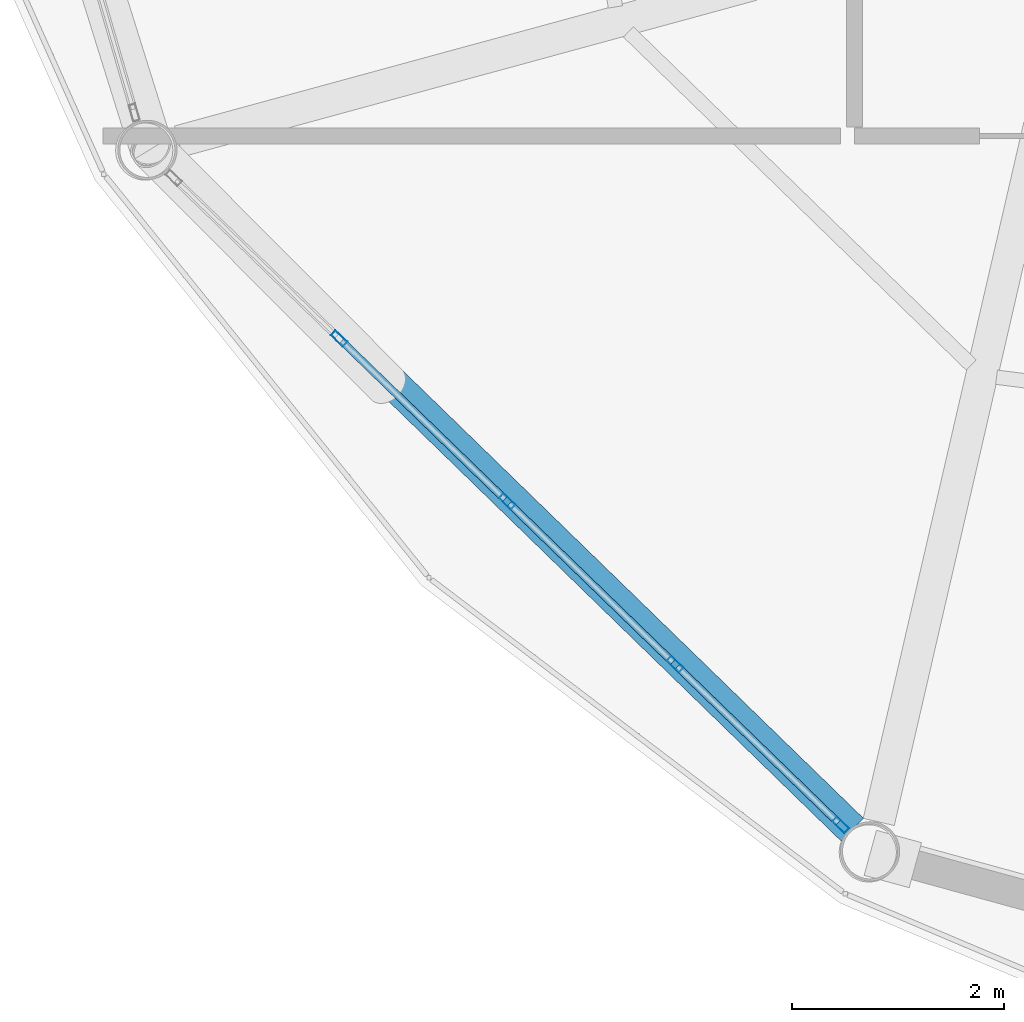
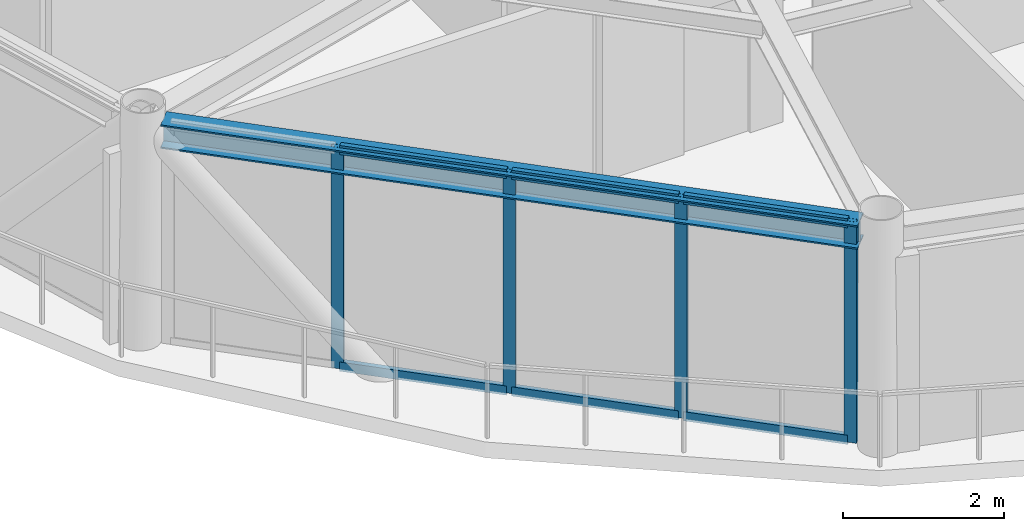
# One storey, part 2 of 27: 10 members, 1 beam, 1 element without a shape of its own.
"""IFC4 building model written with IfcOpenShell, lengths in metres."""

from ifc_helpers import new_model, si_unit, direction, frame, origin, origin_2d, place, context, subcontext, project, spatial, hollow_rectangle, i_section, extrude, material, layer, layer_set, material_profile, profile_set, type_object, element, aggregate, save


model = new_model("IFC4")

# Units and contexts
model_context = context("Model", 3, precision=1e-05, world=origin(), true_north=direction((0.0, 1.0)))
body_context = subcontext(model_context, "Body", "Model", "MODEL_VIEW")
ifc_project = project(units=[si_unit("LENGTHUNIT", "METRE"), si_unit("AREAUNIT", "SQUARE_METRE"), si_unit("VOLUMEUNIT", "CUBIC_METRE"), si_unit("PLANEANGLEUNIT", "RADIAN"), si_unit("MASSUNIT", "GRAM", prefix="KILO")], contexts=[model_context])

# Site, building, storey
site_placement = place(None, origin())
site = spatial("IfcSite", under=ifc_project, at=site_placement, CompositionType="ELEMENT")
building_placement = place(site_placement, origin())
building = spatial("IfcBuilding", under=site, at=building_placement, Name="Varnakorn Sky Granary", CompositionType="ELEMENT")
storey_placement = place(building_placement, frame((0.0, 0.0, 232.800048828125)))
storey = spatial("IfcBuildingStorey", under=building, at=storey_placement, Name="L59", CompositionType="ELEMENT", Elevation=232.800048828125)

# Beam
ifc_material_1 = material(Name="Steel S355JR", Category="steel")
ifc_material_profile_1 = material_profile(ifc_material_1, i_section(OverallWidth=0.300048828125, OverallDepth=0.360107421875, WebThickness=0.012451171875, FlangeThickness=0.0224609375, at=origin_2d()), Name="HE 360 B")
ifc_profile_set_1 = profile_set([ifc_material_profile_1], Name="Steel S355JR")
beam_type = type_object("IfcBeamType", Name="BM-SPD-Z5", PredefinedType="SPANDREL", material=ifc_profile_set_1)
beam_placement = place(storey_placement, frame((-11.036376953125, -9.203857421875, 3.179931640625), z_axis=(0.717159724333, -0.696908838941, 0.0), x_axis=(0.696908838941, 0.717159724333, 0.0)))
element("IfcBeam", 1, at=beam_placement, inside=storey, type_object=beam_type, Name="Perimeter Spandrel Ring Beam RB08 L59", PredefinedType="SPANDREL", context=body_context, shape_type="SweptSolid", body=[
    extrude(i_section(OverallWidth=0.300048828125, OverallDepth=0.360107421875, WebThickness=0.012451171875, FlangeThickness=0.0224609375, at=origin_2d()), origin(), (0.0, 0.0, 1.0), 8.9453125),
])

# Curtain wall, members
ifc_material_2 = material(Name="Anodised Bronze Aluminium Alloy 6063-T6", Category="aluminium")
ifc_layer = layer(ifc_material_2, 0.169921875, Name="Anodised Bronze Aluminium Alloy 6063-T6")
ifc_layer_set = layer_set([ifc_layer], Name="Anodised Bronze Aluminium Alloy 6063-T6")
curtain_wall_type = type_object("IfcCurtainWallType", Name="CW-LAB-1", PredefinedType="USERDEFINED", material=ifc_layer_set)
curtain_wall_placement = place(storey_placement, origin())
curtain_wall = element("IfcCurtainWall", 2, at=curtain_wall_placement, inside=storey, type_object=curtain_wall_type, Name="Unitised Curtain Wall CW5 CW-L59-B08", ObjectType="CURTAIN WALL", PredefinedType="USERDEFINED")
ifc_material_profile_2 = material_profile(ifc_material_2, hollow_rectangle(XDim=0.06494140625, YDim=0.159912109375, WallThickness=0.00341796875, at=origin_2d()), Name="ALU MULL 65x160")
ifc_profile_set_2 = profile_set([ifc_material_profile_2], Name="Anodised Bronze Aluminium Alloy 6063-T6")
member_type_1 = type_object("IfcMemberType", Name="CW-LAB-1-MULL", PredefinedType="MULLION", material=ifc_profile_set_2)
member_1_placement = place(storey_placement, frame((-4.732421875, -15.392578125, 0.0), z_axis=(0.0, 0.0, 1.0), x_axis=(-0.696278954574, -0.717771284893, 0.0)))
member_1 = element("IfcMember", 3, at=member_1_placement, type_object=member_type_1, Name="CW5 mullion 1", PredefinedType="MULLION", context=body_context, shape_type="SweptSolid", body=[
    extrude(hollow_rectangle(XDim=0.06494140625, YDim=0.159912109375, WallThickness=0.00341796875, at=origin_2d()), origin(), (0.0, 0.0, 1.0), 3.35986328125),
])
member_2_placement = place(storey_placement, frame((-6.292236328125, -13.879638671875, 0.0), z_axis=(0.0, 0.0, 1.0), x_axis=(-0.696278954574, -0.717771284893, 0.0)))
member_2 = element("IfcMember", 4, at=member_2_placement, type_object=member_type_1, Name="CW5 mullion 2", PredefinedType="MULLION", context=body_context, shape_type="SweptSolid", body=[
    extrude(hollow_rectangle(XDim=0.06494140625, YDim=0.159912109375, WallThickness=0.00341796875, at=origin_2d()), origin(), (0.0, 0.0, 1.0), 3.35986328125),
])
member_3_placement = place(storey_placement, frame((-7.875244140625, -12.343994140625, 0.0), z_axis=(0.0, 0.0, 1.0), x_axis=(-0.696278954574, -0.717771284893, 0.0)))
member_3 = element("IfcMember", 5, at=member_3_placement, type_object=member_type_1, Name="CW5 mullion 3", PredefinedType="MULLION", context=body_context, shape_type="SweptSolid", body=[
    extrude(hollow_rectangle(XDim=0.06494140625, YDim=0.159912109375, WallThickness=0.00341796875, at=origin_2d()), origin(), (0.0, 0.0, 1.0), 3.35986328125),
])
member_4_placement = place(storey_placement, frame((-9.458251953125, -10.80859375, 0.0), z_axis=(0.0, 0.0, 1.0), x_axis=(-0.696278954574, -0.717771284893, 0.0)))
member_4 = element("IfcMember", 6, at=member_4_placement, type_object=member_type_1, Name="CW5 mullion 4", PredefinedType="MULLION", context=body_context, shape_type="SweptSolid", body=[
    extrude(hollow_rectangle(XDim=0.06494140625, YDim=0.159912109375, WallThickness=0.00341796875, at=origin_2d()), origin(), (0.0, 0.0, 1.0), 3.35986328125),
])
ifc_material_profile_3 = material_profile(ifc_material_2, hollow_rectangle(XDim=0.070068359375, YDim=0.139892578125, WallThickness=0.00341796875, at=origin_2d()), Name="ALU TRAN 70x140")
ifc_profile_set_3 = profile_set([ifc_material_profile_3], Name="Anodised Bronze Aluminium Alloy 6063-T6")
member_type_2 = type_object("IfcMemberType", Name="CW-LAB-1-TRAN", PredefinedType="USERDEFINED", material=ifc_profile_set_3)
member_5_placement = place(storey_placement, frame((-4.755859375, -15.3701171875, 0.034912109375), z_axis=(-0.717739003955, 0.696312230398, 0.0), x_axis=(-0.696312230398, -0.717739003955, 0.0)))
member_5 = element("IfcMember", 7, at=member_5_placement, type_object=member_type_2, Name="CW5 transom 1.1", ObjectType="TRANSOM", PredefinedType="USERDEFINED", context=body_context, shape_type="SweptSolid", body=[
    extrude(hollow_rectangle(XDim=0.070068359375, YDim=0.139892578125, WallThickness=0.00341796875, at=origin_2d()), origin(), (0.0, 0.0, 1.0), 2.10791015625),
])
member_6_placement = place(storey_placement, frame((-4.755859375, -15.3701171875, 3.324951171875), z_axis=(-0.717739003955, 0.696312230398, 0.0), x_axis=(-0.696312230398, -0.717739003955, 0.0)))
member_6 = element("IfcMember", 8, at=member_6_placement, type_object=member_type_2, Name="CW5 transom 1.2", ObjectType="TRANSOM", PredefinedType="USERDEFINED", context=body_context, shape_type="SweptSolid", body=[
    extrude(hollow_rectangle(XDim=0.070068359375, YDim=0.139892578125, WallThickness=0.00341796875, at=origin_2d()), origin(), (0.0, 0.0, 1.0), 2.10791015625),
])
member_7_placement = place(storey_placement, frame((-6.3154296875, -13.857177734375, 0.034912109375), z_axis=(-0.71774664761, 0.696304351447, 0.0), x_axis=(-0.696304351447, -0.71774664761, 0.0)))
member_7 = element("IfcMember", 9, at=member_7_placement, type_object=member_type_2, Name="CW5 transom 2.1", ObjectType="TRANSOM", PredefinedType="USERDEFINED", context=body_context, shape_type="SweptSolid", body=[
    extrude(hollow_rectangle(XDim=0.070068359375, YDim=0.139892578125, WallThickness=0.00341796875, at=origin_2d()), origin(), (0.0, 0.0, 1.0), 2.140625),
])
member_8_placement = place(storey_placement, frame((-6.3154296875, -13.857177734375, 3.324951171875), z_axis=(-0.71774664761, 0.696304351447, 0.0), x_axis=(-0.696304351447, -0.71774664761, 0.0)))
member_8 = element("IfcMember", 10, at=member_8_placement, type_object=member_type_2, Name="CW5 transom 2.2", ObjectType="TRANSOM", PredefinedType="USERDEFINED", context=body_context, shape_type="SweptSolid", body=[
    extrude(hollow_rectangle(XDim=0.070068359375, YDim=0.139892578125, WallThickness=0.00341796875, at=origin_2d()), origin(), (0.0, 0.0, 1.0), 2.140625),
])
member_9_placement = place(storey_placement, frame((-7.8984375, -12.321533203125, 0.034912109375), z_axis=(-0.71774664761, 0.696304351447, 0.0), x_axis=(-0.696304351447, -0.71774664761, 0.0)))
member_9 = element("IfcMember", 11, at=member_9_placement, type_object=member_type_2, Name="CW5 transom 3.1", ObjectType="TRANSOM", PredefinedType="USERDEFINED", context=body_context, shape_type="SweptSolid", body=[
    extrude(hollow_rectangle(XDim=0.070068359375, YDim=0.139892578125, WallThickness=0.00341796875, at=origin_2d()), origin(), (0.0, 0.0, 1.0), 2.140625),
])
member_10_placement = place(storey_placement, frame((-7.8984375, -12.321533203125, 3.324951171875), z_axis=(-0.71774664761, 0.696304351447, 0.0), x_axis=(-0.696304351447, -0.71774664761, 0.0)))
member_10 = element("IfcMember", 12, at=member_10_placement, type_object=member_type_2, Name="CW5 transom 3.2", ObjectType="TRANSOM", PredefinedType="USERDEFINED", context=body_context, shape_type="SweptSolid", body=[
    extrude(hollow_rectangle(XDim=0.070068359375, YDim=0.139892578125, WallThickness=0.00341796875, at=origin_2d()), origin(), (0.0, 0.0, 1.0), 2.140625),
])
aggregate(curtain_wall, [member_1, member_2, member_3, member_4, member_5, member_6, member_7, member_8, member_9, member_10])

save(model, "model.ifc")
